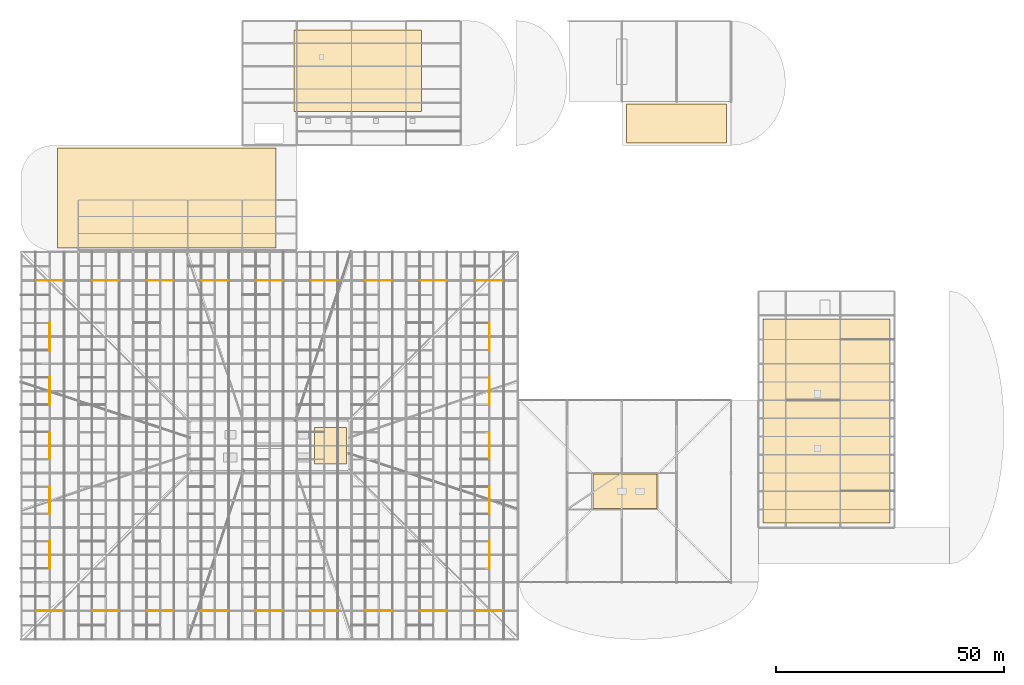
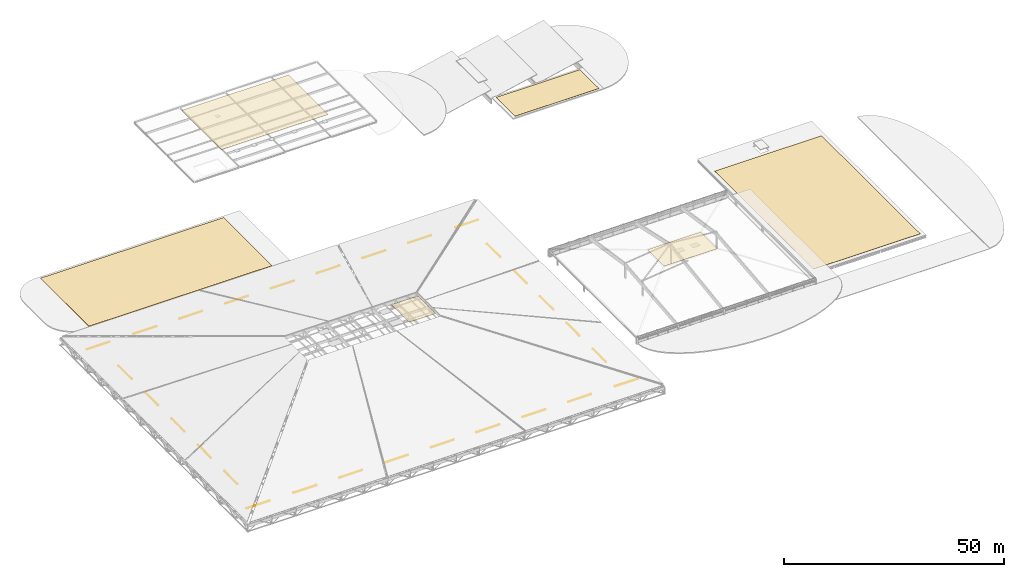
# One storey, part 80 of 80: 28 shading devices, 6 coverings.
"""IFC4 building model written with IfcOpenShell, lengths in metres."""

from ifc_helpers import new_model, si_unit, direction, frame, origin, origin_2d, place, context, subcontext, project, spatial, rectangle, extrude, material, layer, layer_set, type_object, element, save


model = new_model("IFC4")

# Units and contexts
model_context = context("Model", 3, precision=1e-05, world=origin(), true_north=direction((0.0, 1.0)))
body_context = subcontext(model_context, "Body", "Model", "MODEL_VIEW")
ifc_project = project(units=[si_unit("LENGTHUNIT", "METRE"), si_unit("AREAUNIT", "SQUARE_METRE"), si_unit("VOLUMEUNIT", "CUBIC_METRE"), si_unit("PLANEANGLEUNIT", "RADIAN"), si_unit("MASSUNIT", "GRAM", prefix="KILO"), si_unit("THERMODYNAMICTEMPERATUREUNIT", "KELVIN"), si_unit("POWERUNIT", "WATT")], contexts=[model_context])

# Site, building, storey
site_placement = place(None, origin())
site = spatial("IfcSite", under=ifc_project, at=site_placement, CompositionType="ELEMENT")
building_placement = place(site_placement, origin())
building = spatial("IfcBuilding", under=site, at=building_placement, Name="Solmara Park Aquatics Centre", CompositionType="ELEMENT")
storey_placement = place(building_placement, frame((0.0, 0.0, 22.800048828125)))
storey = spatial("IfcBuildingStorey", under=building, at=storey_placement, Name="RF", CompositionType="ELEMENT", Elevation=22.800048828125)

# Coverings
ifc_material_1 = material(Name="Standing-Seam Solar-Reflective Roof Cladding", Category="aluminium")
ifc_layer = layer(ifc_material_1, 0.050048828125, Name="Standing-Seam Solar-Reflective Roof Cladding")
ifc_layer_set = layer_set([ifc_layer], Name="Standing-Seam Solar-Reflective Roof Cladding")
covering_type = type_object("IfcCoveringType", Name="ARC-COV-MEMB", PredefinedType="ROOFING", material=ifc_layer_set)
covering_1_placement = place(storey_placement, frame((68.0, 42.60009765625, -2.419921875), z_axis=(0.0, 0.0, 1.0), x_axis=(1.0, 0.0, 0.0)))
element("IfcCovering", 1, at=covering_1_placement, inside=storey, type_object=covering_type, Name="Standing-Seam Roof Cladding 01", PredefinedType="ROOFING", context=body_context, shape_type="SweptSolid", body=[
    extrude(rectangle(XDim=7.0, YDim=8.0, at=origin_2d()), origin(), (0.0, 0.0, 1.0), 0.050048828125),
])
covering_2_placement = place(storey_placement, frame((132.699951171875, 32.60009765625, -2.4052734375), z_axis=(0.0, 0.0, 1.0), x_axis=(1.0, 0.0, 0.0)))
element("IfcCovering", 2, at=covering_2_placement, inside=storey, type_object=covering_type, Name="Standing-Seam Roof Cladding 02", PredefinedType="ROOFING", context=body_context, shape_type="SweptSolid", body=[
    extrude(rectangle(XDim=14.0, YDim=7.60009765625, at=origin_2d()), origin(), (0.0, 0.0, 1.0), 0.050048828125),
])
covering_3_placement = place(storey_placement, frame((177.0, 48.0, -14.3251953125), z_axis=(0.0, 0.0, 1.0), x_axis=(1.0, 0.0, 0.0)))
element("IfcCovering", 3, at=covering_3_placement, inside=storey, type_object=covering_type, Name="Standing-Seam Roof Cladding 03", PredefinedType="ROOFING", context=body_context, shape_type="SweptSolid", body=[
    extrude(rectangle(XDim=28.0, YDim=44.800048828125, at=origin_2d()), origin(), (0.0, 0.0, 1.0), 0.050048828125),
])
covering_4_placement = place(storey_placement, frame((32.0, 97.0, -12.52490234375), z_axis=(0.0, 0.0, 1.0), x_axis=(1.0, 0.0, 0.0)))
element("IfcCovering", 4, at=covering_4_placement, inside=storey, type_object=covering_type, Name="Standing-Seam Roof Cladding 04", PredefinedType="ROOFING", context=body_context, shape_type="SweptSolid", body=[
    extrude(rectangle(XDim=48.0, YDim=22.0, at=origin_2d()), origin(), (0.0, 0.0, 1.0), 0.050048828125),
])
covering_5_placement = place(storey_placement, frame((74.0, 125.0, 0.0048828125), z_axis=(0.0, 0.0, 1.0), x_axis=(1.0, 0.0, 0.0)))
element("IfcCovering", 5, at=covering_5_placement, inside=storey, type_object=covering_type, Name="Standing-Seam Roof Cladding 05", PredefinedType="ROOFING", context=body_context, shape_type="SweptSolid", body=[
    extrude(rectangle(XDim=28.0, YDim=18.0, at=origin_2d()), origin(), (0.0, 0.0, 1.0), 0.050048828125),
])
covering_6_placement = place(storey_placement, frame((144.0, 113.39990234375, -12.09521484375), z_axis=(0.0, 0.0, 1.0), x_axis=(1.0, 0.0, 0.0)))
element("IfcCovering", 6, at=covering_6_placement, inside=storey, type_object=covering_type, Name="Standing-Seam Roof Cladding 06", PredefinedType="ROOFING", context=body_context, shape_type="SweptSolid", body=[
    extrude(rectangle(XDim=22.0, YDim=8.60009765625, at=origin_2d()), origin(), (0.0, 0.0, 1.0), 0.050048828125),
])

# Shading devices
ifc_material_2 = material(Name="Weathered Cedar Timber", Category="wood")
shading_device_type_1 = type_object("IfcShadingDeviceType", Name="ARC-SHD-BAT140", PredefinedType="JALOUSIE", material=ifc_material_2)
for number, where, z_axis, x_axis, name in (
    (7, (6.300048828125, 78.89990234375, -12.9755859375), (0.0, 0.0, 1.0), (1.0, 0.0, 0.0), "Weathered Cedar Eave Soffit Batten 002"),
    (8, (18.60009765625, 78.89990234375, -12.9755859375), (0.0, 0.0, 1.0), (1.0, 0.0, 0.0), "Weathered Cedar Eave Soffit Batten 004"),
    (9, (30.60009765625, 78.89990234375, -12.9755859375), (0.0, 0.0, 1.0), (1.0, 0.0, 0.0), "Weathered Cedar Eave Soffit Batten 006"),
    (10, (42.60009765625, 78.89990234375, -12.9755859375), (0.0, 0.0, 1.0), (1.0, 0.0, 0.0), "Weathered Cedar Eave Soffit Batten 008"),
    (11, (54.60009765625, 78.89990234375, -12.9755859375), (0.0, 0.0, 1.0), (1.0, 0.0, 0.0), "Weathered Cedar Eave Soffit Batten 010"),
    (12, (66.60009765625, 78.89990234375, -12.9755859375), (0.0, 0.0, 1.0), (1.0, 0.0, 0.0), "Weathered Cedar Eave Soffit Batten 012"),
    (13, (78.60009765625, 78.89990234375, -12.9755859375), (0.0, 0.0, 1.0), (1.0, 0.0, 0.0), "Weathered Cedar Eave Soffit Batten 014"),
    (14, (90.60009765625, 78.89990234375, -12.9755859375), (0.0, 0.0, 1.0), (1.0, 0.0, 0.0), "Weathered Cedar Eave Soffit Batten 016"),
    (15, (102.89990234375, 78.89990234375, -12.9755859375), (0.0, 0.0, 1.0), (1.0, 0.0, 0.0), "Weathered Cedar Eave Soffit Batten 018"),
):
    element("IfcShadingDevice", number, at=place(storey_placement, frame(where, z_axis=z_axis, x_axis=x_axis)), inside=storey, type_object=shading_device_type_1, Name=name, PredefinedType="JALOUSIE", context=body_context, shape_type="SweptSolid", body=[
        extrude(rectangle(XDim=6.0, YDim=0.139892578125, at=origin_2d()), origin(), (0.0, 0.0, 1.0), 0.070068359375),
    ])
for number, where, z_axis, x_axis, name in (
    (16, (6.300048828125, 18.60009765625, -12.9755859375), (0.0, 0.0, 1.0), (1.0, 0.0, 0.0), "Weathered Cedar Side Eave Batten 019"),
    (17, (102.89990234375, 18.60009765625, -12.9755859375), (0.0, 0.0, 1.0), (1.0, 0.0, 0.0), "Weathered Cedar Side Eave Batten 020"),
    (18, (6.300048828125, 30.60009765625, -12.9755859375), (0.0, 0.0, 1.0), (1.0, 0.0, 0.0), "Weathered Cedar Side Eave Batten 021"),
    (19, (102.89990234375, 30.60009765625, -12.9755859375), (0.0, 0.0, 1.0), (1.0, 0.0, 0.0), "Weathered Cedar Side Eave Batten 022"),
    (20, (6.300048828125, 42.60009765625, -12.9755859375), (0.0, 0.0, 1.0), (1.0, 0.0, 0.0), "Weathered Cedar Side Eave Batten 023"),
    (21, (102.89990234375, 42.60009765625, -12.9755859375), (0.0, 0.0, 1.0), (1.0, 0.0, 0.0), "Weathered Cedar Side Eave Batten 024"),
    (22, (6.300048828125, 54.60009765625, -12.9755859375), (0.0, 0.0, 1.0), (1.0, 0.0, 0.0), "Weathered Cedar Side Eave Batten 025"),
    (23, (102.89990234375, 54.60009765625, -12.9755859375), (0.0, 0.0, 1.0), (1.0, 0.0, 0.0), "Weathered Cedar Side Eave Batten 026"),
    (24, (6.300048828125, 66.60009765625, -12.9755859375), (0.0, 0.0, 1.0), (1.0, 0.0, 0.0), "Weathered Cedar Side Eave Batten 027"),
    (25, (102.89990234375, 66.60009765625, -12.9755859375), (0.0, 0.0, 1.0), (1.0, 0.0, 0.0), "Weathered Cedar Side Eave Batten 028"),
):
    element("IfcShadingDevice", number, at=place(storey_placement, frame(where, z_axis=z_axis, x_axis=x_axis)), inside=storey, type_object=shading_device_type_1, Name=name, PredefinedType="JALOUSIE", context=body_context, shape_type="SweptSolid", body=[
        extrude(rectangle(XDim=0.139892578125, YDim=6.0, at=origin_2d()), origin(), (0.0, 0.0, 1.0), 0.070068359375),
    ])
shading_device_type_2 = type_object("IfcShadingDeviceType", Name="ARC-SHD-BAT180", PredefinedType="JALOUSIE", material=ifc_material_2)
for number, where, z_axis, x_axis, name in (
    (26, (6.300048828125, 6.300048828125, -12.98583984375), (0.0, 0.0, 1.0), (1.0, 0.0, 0.0), "Weathered Cedar Eave Soffit Batten 001"),
    (27, (18.60009765625, 6.300048828125, -12.98583984375), (0.0, 0.0, 1.0), (1.0, 0.0, 0.0), "Weathered Cedar Eave Soffit Batten 003"),
    (28, (30.60009765625, 6.300048828125, -12.98583984375), (0.0, 0.0, 1.0), (1.0, 0.0, 0.0), "Weathered Cedar Eave Soffit Batten 005"),
    (29, (42.60009765625, 6.300048828125, -12.98583984375), (0.0, 0.0, 1.0), (1.0, 0.0, 0.0), "Weathered Cedar Eave Soffit Batten 007"),
    (30, (54.60009765625, 6.300048828125, -12.98583984375), (0.0, 0.0, 1.0), (1.0, 0.0, 0.0), "Weathered Cedar Eave Soffit Batten 009"),
    (31, (66.60009765625, 6.300048828125, -12.98583984375), (0.0, 0.0, 1.0), (1.0, 0.0, 0.0), "Weathered Cedar Eave Soffit Batten 011"),
    (32, (78.60009765625, 6.300048828125, -12.98583984375), (0.0, 0.0, 1.0), (1.0, 0.0, 0.0), "Weathered Cedar Eave Soffit Batten 013"),
    (33, (90.60009765625, 6.300048828125, -12.98583984375), (0.0, 0.0, 1.0), (1.0, 0.0, 0.0), "Weathered Cedar Eave Soffit Batten 015"),
    (34, (102.89990234375, 6.300048828125, -12.98583984375), (0.0, 0.0, 1.0), (1.0, 0.0, 0.0), "Weathered Cedar Eave Soffit Batten 017"),
):
    element("IfcShadingDevice", number, at=place(storey_placement, frame(where, z_axis=z_axis, x_axis=x_axis)), inside=storey, type_object=shading_device_type_2, Name=name, PredefinedType="JALOUSIE", context=body_context, shape_type="SweptSolid", body=[
        extrude(rectangle(XDim=6.0, YDim=0.179931640625, at=origin_2d()), origin(), (0.0, 0.0, 1.0), 0.080078125),
    ])

save(model, "model.ifc")
